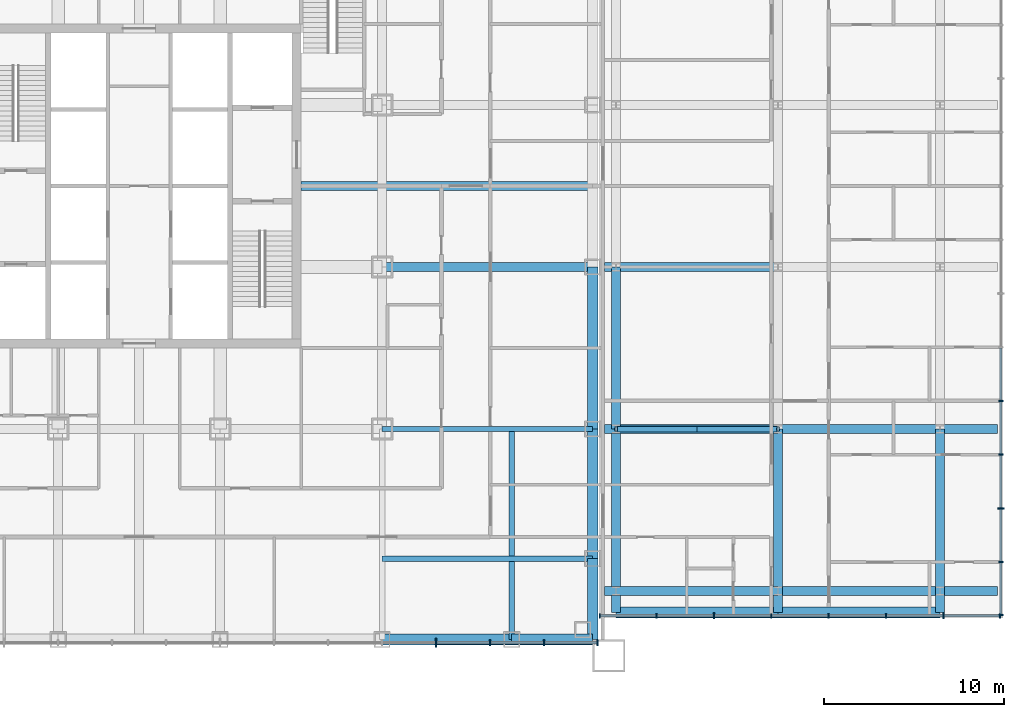
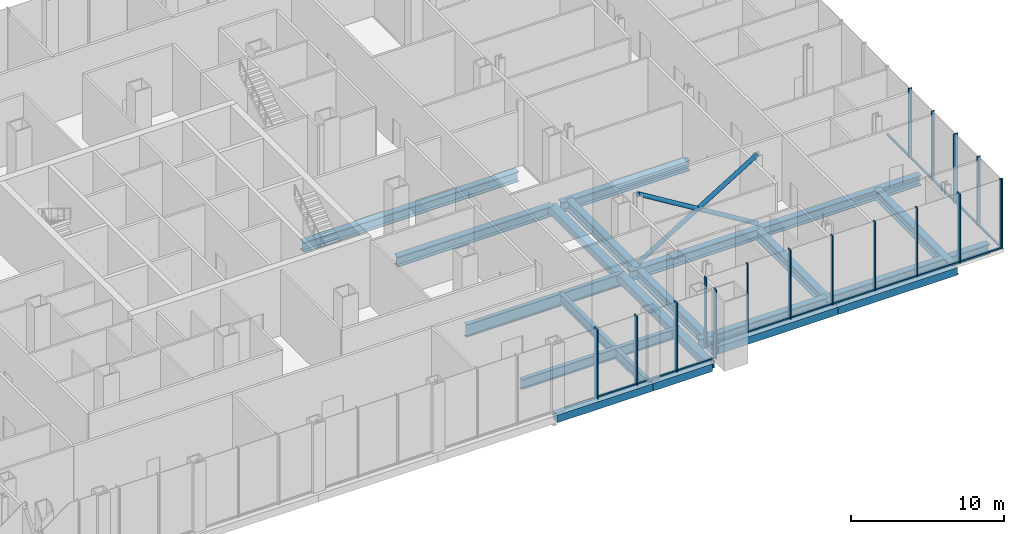
# One storey, part 7 of 25: 34 members, 21 beams, 3 elements without a shape of their own.
"""IFC4 building model written with IfcOpenShell, lengths in metres."""

from ifc_helpers import new_model, si_unit, direction, frame, origin, origin_2d, place, context, subcontext, project, spatial, rectangle, hollow_rectangle, hollow_circle, i_section, extrude, material, layer, layer_set, material_profile, profile_set, type_object, element, aggregate, save


model = new_model("IFC4")

# Units and contexts
model_context = context("Model", 3, precision=1e-05, world=origin(), true_north=direction((0.0, 1.0)))
body_context = subcontext(model_context, "Body", "Model", "MODEL_VIEW")
ifc_project = project(units=[si_unit("LENGTHUNIT", "METRE"), si_unit("AREAUNIT", "SQUARE_METRE"), si_unit("VOLUMEUNIT", "CUBIC_METRE"), si_unit("PLANEANGLEUNIT", "RADIAN"), si_unit("MASSUNIT", "GRAM", prefix="KILO")], contexts=[model_context])

# Site, building, storey
site_placement = place(None, origin())
site = spatial("IfcSite", under=ifc_project, at=site_placement, CompositionType="ELEMENT")
building_placement = place(site_placement, origin())
building = spatial("IfcBuilding", under=site, at=building_placement, Name="Malebo Sky Hospital", CompositionType="ELEMENT")
storey_placement = place(building_placement, frame((0.0, 0.0, 11.0)))
storey = spatial("IfcBuildingStorey", under=building, at=storey_placement, Name="L02", CompositionType="ELEMENT", Elevation=11.0)

# Curtain wall, members
ifc_material_1 = material(Name="Anodised aluminium, natural silver", Category="aluminium")
ifc_layer_1 = layer(ifc_material_1, 0.25)
ifc_layer_set_1 = layer_set([ifc_layer_1], Name="PODIUM ENTRANCE BAY CURTAIN WALL")
curtain_wall_type_1 = type_object("IfcCurtainWallType", Name="PODIUM ENTRANCE BAY CURTAIN WALL", PredefinedType="NOTDEFINED", material=ifc_layer_set_1)
curtain_wall_1_placement = place(storey_placement, origin())
curtain_wall_1 = element("IfcCurtainWall", 1, at=curtain_wall_1_placement, inside=storey, type_object=curtain_wall_type_1, Name="BAY curtain wall BS", PredefinedType="NOTDEFINED")
ifc_material_profile_1 = material_profile(ifc_material_1, rectangle(XDim=0.14990234375, YDim=0.10009765625, at=origin_2d()), Name="ALUMINIUM TRANSOM 150x100")
ifc_profile_set_1 = profile_set([ifc_material_profile_1], Name="Anodised aluminium, natural silver")
member_type_1 = type_object("IfcMemberType", Name="ALUMINIUM TRANSOM 150x100", PredefinedType="USERDEFINED", material=ifc_profile_set_1)
member_1_placement = place(storey_placement, frame((76.53759765625, 36.625, 0.050048828125), z_axis=(1.0, 0.0, 0.0), x_axis=(0.0, 1.0, 0.0)))
member_1 = element("IfcMember", 2, at=member_1_placement, type_object=member_type_1, Name="Transom 15", ObjectType="TRANSOM", PredefinedType="USERDEFINED", context=body_context, shape_type="SweptSolid", body=[
    extrude(rectangle(XDim=0.14990234375, YDim=0.10009765625, at=origin_2d()), origin(), (0.0, 0.0, 1.0), 2.9248046875),
])
member_2_placement = place(storey_placement, frame((79.53759765625, 36.625, 0.050048828125), z_axis=(1.0, 0.0, 0.0), x_axis=(0.0, 1.0, 0.0)))
member_2 = element("IfcMember", 3, at=member_2_placement, type_object=member_type_1, Name="Transom 16", ObjectType="TRANSOM", PredefinedType="USERDEFINED", context=body_context, shape_type="SweptSolid", body=[
    extrude(rectangle(XDim=0.14990234375, YDim=0.10009765625, at=origin_2d()), origin(), (0.0, 0.0, 1.0), 2.9248046875),
])
member_3_placement = place(storey_placement, frame((82.53759765625, 36.625, 0.050048828125), z_axis=(1.0, 0.0, 0.0), x_axis=(0.0, 1.0, 0.0)))
member_3 = element("IfcMember", 4, at=member_3_placement, type_object=member_type_1, Name="Transom 17", ObjectType="TRANSOM", PredefinedType="USERDEFINED", context=body_context, shape_type="SweptSolid", body=[
    extrude(rectangle(XDim=0.14990234375, YDim=0.10009765625, at=origin_2d()), origin(), (0.0, 0.0, 1.0), 2.887451171875),
])

ifc_layer_2 = layer(ifc_material_1, 0.25)
ifc_layer_set_2 = layer_set([ifc_layer_2], Name="PODIUM CURTAIN WALL")
curtain_wall_type_2 = type_object("IfcCurtainWallType", Name="PODIUM CURTAIN WALL", PredefinedType="NOTDEFINED", material=ifc_layer_set_2)
curtain_wall_2_placement = place(storey_placement, origin())
curtain_wall_2 = element("IfcCurtainWall", 5, at=curtain_wall_2_placement, inside=storey, type_object=curtain_wall_type_2, Name="POD curtain wall ES", PredefinedType="NOTDEFINED")
member_4_placement = place(storey_placement, frame((85.625, 38.125, 0.050048828125), z_axis=(1.0, 0.0, 0.0), x_axis=(0.0, 1.0, 0.0)))
member_4 = element("IfcMember", 6, at=member_4_placement, type_object=member_type_1, Name="Transom 1", ObjectType="TRANSOM", PredefinedType="USERDEFINED", context=body_context, shape_type="SweptSolid", body=[
    extrude(rectangle(XDim=0.14990234375, YDim=0.10009765625, at=origin_2d()), origin(), (0.0, 0.0, 1.0), 3.076904296875),
])
member_5_placement = place(storey_placement, frame((88.77685546875, 38.125, 0.050048828125), z_axis=(1.0, 0.0, 0.0), x_axis=(0.0, 1.0, 0.0)))
member_5 = element("IfcMember", 7, at=member_5_placement, type_object=member_type_1, Name="Transom 2", ObjectType="TRANSOM", PredefinedType="USERDEFINED", context=body_context, shape_type="SweptSolid", body=[
    extrude(rectangle(XDim=0.14990234375, YDim=0.10009765625, at=origin_2d()), origin(), (0.0, 0.0, 1.0), 3.1142578125),
])
member_6_placement = place(storey_placement, frame((91.966064453125, 38.125, 0.050048828125), z_axis=(1.0, 0.0, 0.0), x_axis=(0.0, 1.0, 0.0)))
member_6 = element("IfcMember", 8, at=member_6_placement, type_object=member_type_1, Name="Transom 3", ObjectType="TRANSOM", PredefinedType="USERDEFINED", context=body_context, shape_type="SweptSolid", body=[
    extrude(rectangle(XDim=0.14990234375, YDim=0.10009765625, at=origin_2d()), origin(), (0.0, 0.0, 1.0), 3.1142578125),
])
member_7_placement = place(storey_placement, frame((95.155517578125, 38.125, 0.050048828125), z_axis=(1.0, 0.0, 0.0), x_axis=(0.0, 1.0, 0.0)))
member_7 = element("IfcMember", 9, at=member_7_placement, type_object=member_type_1, Name="Transom 4", ObjectType="TRANSOM", PredefinedType="USERDEFINED", context=body_context, shape_type="SweptSolid", body=[
    extrude(rectangle(XDim=0.14990234375, YDim=0.10009765625, at=origin_2d()), origin(), (0.0, 0.0, 1.0), 3.114013671875),
])
member_8_placement = place(storey_placement, frame((98.344482421875, 38.125, 0.050048828125), z_axis=(1.0, 0.0, 0.0), x_axis=(0.0, 1.0, 0.0)))
member_8 = element("IfcMember", 10, at=member_8_placement, type_object=member_type_1, Name="Transom 5", ObjectType="TRANSOM", PredefinedType="USERDEFINED", context=body_context, shape_type="SweptSolid", body=[
    extrude(rectangle(XDim=0.14990234375, YDim=0.10009765625, at=origin_2d()), origin(), (0.0, 0.0, 1.0), 3.114501953125),
])
member_9_placement = place(storey_placement, frame((101.533935546875, 38.125, 0.050048828125), z_axis=(1.0, 0.0, 0.0), x_axis=(0.0, 1.0, 0.0)))
member_9 = element("IfcMember", 11, at=member_9_placement, type_object=member_type_1, Name="Transom 6", ObjectType="TRANSOM", PredefinedType="USERDEFINED", context=body_context, shape_type="SweptSolid", body=[
    extrude(rectangle(XDim=0.14990234375, YDim=0.10009765625, at=origin_2d()), origin(), (0.0, 0.0, 1.0), 3.1142578125),
])
member_10_placement = place(storey_placement, frame((104.72314453125, 38.125, 0.050048828125), z_axis=(1.0, 0.0, 0.0), x_axis=(0.0, 1.0, 0.0)))
member_10 = element("IfcMember", 12, at=member_10_placement, type_object=member_type_1, Name="Transom 7", ObjectType="TRANSOM", PredefinedType="USERDEFINED", context=body_context, shape_type="SweptSolid", body=[
    extrude(rectangle(XDim=0.14990234375, YDim=0.10009765625, at=origin_2d()), origin(), (0.0, 0.0, 1.0), 3.076904296875),
])

curtain_wall_3_placement = place(storey_placement, origin())
curtain_wall_3 = element("IfcCurtainWall", 13, at=curtain_wall_3_placement, inside=storey, type_object=curtain_wall_type_2, Name="POD curtain wall EE", PredefinedType="NOTDEFINED")
member_11_placement = place(storey_placement, frame((107.875, 38.199951171875, 0.050048828125), z_axis=(0.0, 1.0, 0.0), x_axis=(-1.0, 0.0, 0.0)))
member_11 = element("IfcMember", 14, at=member_11_placement, type_object=member_type_1, Name="Transom 1", ObjectType="TRANSOM", PredefinedType="USERDEFINED", context=body_context, shape_type="SweptSolid", body=[
    extrude(rectangle(XDim=0.14990234375, YDim=0.10009765625, at=origin_2d()), origin(), (0.0, 0.0, 1.0), 2.8720703125),
])
member_12_placement = place(storey_placement, frame((107.875, 41.14697265625, 0.050048828125), z_axis=(0.0, 1.0, 0.0), x_axis=(-1.0, 0.0, 0.0)))
member_12 = element("IfcMember", 15, at=member_12_placement, type_object=member_type_1, Name="Transom 2", ObjectType="TRANSOM", PredefinedType="USERDEFINED", context=body_context, shape_type="SweptSolid", body=[
    extrude(rectangle(XDim=0.14990234375, YDim=0.10009765625, at=origin_2d()), origin(), (0.0, 0.0, 1.0), 2.909423828125),
])
member_13_placement = place(storey_placement, frame((107.875, 44.13134765625, 0.050048828125), z_axis=(0.0, 1.0, 0.0), x_axis=(-1.0, 0.0, 0.0)))
member_13 = element("IfcMember", 16, at=member_13_placement, type_object=member_type_1, Name="Transom 3", ObjectType="TRANSOM", PredefinedType="USERDEFINED", context=body_context, shape_type="SweptSolid", body=[
    extrude(rectangle(XDim=0.14990234375, YDim=0.10009765625, at=origin_2d()), origin(), (0.0, 0.0, 1.0), 2.9091796875),
])
member_14_placement = place(storey_placement, frame((107.875, 47.115478515625, 0.050048828125), z_axis=(0.0, 1.0, 0.0), x_axis=(-1.0, 0.0, 0.0)))
member_14 = element("IfcMember", 17, at=member_14_placement, type_object=member_type_1, Name="Transom 4", ObjectType="TRANSOM", PredefinedType="USERDEFINED", context=body_context, shape_type="SweptSolid", body=[
    extrude(rectangle(XDim=0.14990234375, YDim=0.10009765625, at=origin_2d()), origin(), (0.0, 0.0, 1.0), 2.909423828125),
])
member_15_placement = place(storey_placement, frame((107.875, 50.10009765625, 0.050048828125), z_axis=(0.0, 1.0, 0.0), x_axis=(-1.0, 0.0, 0.0)))
member_15 = element("IfcMember", 18, at=member_15_placement, type_object=member_type_1, Name="Transom 5", ObjectType="TRANSOM", PredefinedType="USERDEFINED", context=body_context, shape_type="SweptSolid", body=[
    extrude(rectangle(XDim=0.14990234375, YDim=0.10009765625, at=origin_2d()), origin(), (0.0, 0.0, 1.0), 2.909423828125),
])

# Member
ifc_material_profile_2 = material_profile(ifc_material_1, rectangle(XDim=0.074951171875, YDim=0.25, at=origin_2d()), Name="CW3 ALUMINIUM FIN MULLION 75x250")
ifc_profile_set_2 = profile_set([ifc_material_profile_2], Name="Anodised aluminium, natural silver")
member_type_2 = type_object("IfcMemberType", Name="CW3 ALUMINIUM FIN MULLION 75x250", PredefinedType="MULLION", material=ifc_profile_set_2)
member_16_placement = place(storey_placement, frame((85.58740234375, 38.125, 0.0), z_axis=(0.0, 0.0, 1.0), x_axis=(1.0, 0.0, 0.0)))
member_16 = element("IfcMember", 19, at=member_16_placement, type_object=member_type_2, Name="Fin mullion 1", PredefinedType="MULLION", context=body_context, shape_type="SweptSolid", body=[
    extrude(rectangle(XDim=0.074951171875, YDim=0.25, at=origin_2d()), origin(), (0.0, 0.0, 1.0), 5.5),
])

member_17_placement = place(storey_placement, frame((88.7392578125, 38.125, 0.0), z_axis=(0.0, 0.0, 1.0), x_axis=(1.0, 0.0, 0.0)))
member_17 = element("IfcMember", 20, at=member_17_placement, type_object=member_type_2, Name="Fin mullion 2", PredefinedType="MULLION", context=body_context, shape_type="SweptSolid", body=[
    extrude(rectangle(XDim=0.074951171875, YDim=0.25, at=origin_2d()), origin(), (0.0, 0.0, 1.0), 5.5),
])

member_18_placement = place(storey_placement, frame((95.117919921875, 38.125, 0.0), z_axis=(0.0, 0.0, 1.0), x_axis=(1.0, 0.0, 0.0)))
member_18 = element("IfcMember", 21, at=member_18_placement, type_object=member_type_2, Name="Fin mullion 4", PredefinedType="MULLION", context=body_context, shape_type="SweptSolid", body=[
    extrude(rectangle(XDim=0.074951171875, YDim=0.25, at=origin_2d()), origin(), (0.0, 0.0, 1.0), 5.5),
])

member_19_placement = place(storey_placement, frame((98.30712890625, 38.125, 0.0), z_axis=(0.0, 0.0, 1.0), x_axis=(1.0, 0.0, 0.0)))
member_19 = element("IfcMember", 22, at=member_19_placement, type_object=member_type_2, Name="Fin mullion 5", PredefinedType="MULLION", context=body_context, shape_type="SweptSolid", body=[
    extrude(rectangle(XDim=0.074951171875, YDim=0.25, at=origin_2d()), origin(), (0.0, 0.0, 1.0), 5.5),
])

member_20_placement = place(storey_placement, frame((101.496337890625, 38.125, 0.0), z_axis=(0.0, 0.0, 1.0), x_axis=(1.0, 0.0, 0.0)))
member_20 = element("IfcMember", 23, at=member_20_placement, type_object=member_type_2, Name="Fin mullion 6", PredefinedType="MULLION", context=body_context, shape_type="SweptSolid", body=[
    extrude(rectangle(XDim=0.074951171875, YDim=0.25, at=origin_2d()), origin(), (0.0, 0.0, 1.0), 5.5),
])

member_21_placement = place(storey_placement, frame((107.83740234375, 38.125, 0.0), z_axis=(0.0, 0.0, 1.0), x_axis=(1.0, 0.0, 0.0)))
member_21 = element("IfcMember", 24, at=member_21_placement, type_object=member_type_2, Name="Fin mullion 8", PredefinedType="MULLION", context=body_context, shape_type="SweptSolid", body=[
    extrude(rectangle(XDim=0.074951171875, YDim=0.25, at=origin_2d()), origin(), (0.0, 0.0, 1.0), 5.5),
])

member_22_placement = place(storey_placement, frame((107.875, 38.16259765625, 0.0), z_axis=(0.0, 0.0, 1.0), x_axis=(0.0, 1.0, 0.0)))
member_22 = element("IfcMember", 25, at=member_22_placement, type_object=member_type_2, Name="Fin mullion 1", PredefinedType="MULLION", context=body_context, shape_type="SweptSolid", body=[
    extrude(rectangle(XDim=0.074951171875, YDim=0.25, at=origin_2d()), origin(), (0.0, 0.0, 1.0), 5.5),
])

member_23_placement = place(storey_placement, frame((107.875, 41.109375, 0.0), z_axis=(0.0, 0.0, 1.0), x_axis=(0.0, 1.0, 0.0)))
member_23 = element("IfcMember", 26, at=member_23_placement, type_object=member_type_2, Name="Fin mullion 2", PredefinedType="MULLION", context=body_context, shape_type="SweptSolid", body=[
    extrude(rectangle(XDim=0.074951171875, YDim=0.25, at=origin_2d()), origin(), (0.0, 0.0, 1.0), 5.5),
])

member_24_placement = place(storey_placement, frame((107.875, 47.078125, 0.0), z_axis=(0.0, 0.0, 1.0), x_axis=(0.0, 1.0, 0.0)))
member_24 = element("IfcMember", 27, at=member_24_placement, type_object=member_type_2, Name="Fin mullion 4", PredefinedType="MULLION", context=body_context, shape_type="SweptSolid", body=[
    extrude(rectangle(XDim=0.074951171875, YDim=0.25, at=origin_2d()), origin(), (0.0, 0.0, 1.0), 5.5),
])

member_25_placement = place(storey_placement, frame((107.875, 50.0625, 0.0), z_axis=(0.0, 0.0, 1.0), x_axis=(0.0, 1.0, 0.0)))
member_25 = element("IfcMember", 28, at=member_25_placement, type_object=member_type_2, Name="Fin mullion 5", PredefinedType="MULLION", context=body_context, shape_type="SweptSolid", body=[
    extrude(rectangle(XDim=0.074951171875, YDim=0.25, at=origin_2d()), origin(), (0.0, 0.0, 1.0), 5.5),
])

ifc_material_profile_3 = material_profile(ifc_material_1, rectangle(XDim=0.074951171875, YDim=0.35009765625, at=origin_2d()), Name="CW3 ALUMINIUM FIN MULLION 75x350")
ifc_profile_set_3 = profile_set([ifc_material_profile_3], Name="Anodised aluminium, natural silver")
member_type_3 = type_object("IfcMemberType", Name="CW3 ALUMINIUM FIN MULLION 75x350", PredefinedType="MULLION", material=ifc_profile_set_3)
member_26_placement = place(storey_placement, frame((91.9287109375, 38.125, 0.0), z_axis=(0.0, 0.0, 1.0), x_axis=(1.0, 0.0, 0.0)))
member_26 = element("IfcMember", 29, at=member_26_placement, type_object=member_type_3, Name="Fin mullion 3", PredefinedType="MULLION", context=body_context, shape_type="SweptSolid", body=[
    extrude(rectangle(XDim=0.074951171875, YDim=0.35009765625, at=origin_2d()), origin(), (0.0, 0.0, 1.0), 5.5),
])

member_27_placement = place(storey_placement, frame((104.685791015625, 38.125, 0.0), z_axis=(0.0, 0.0, 1.0), x_axis=(1.0, 0.0, 0.0)))
member_27 = element("IfcMember", 30, at=member_27_placement, type_object=member_type_3, Name="Fin mullion 7", PredefinedType="MULLION", context=body_context, shape_type="SweptSolid", body=[
    extrude(rectangle(XDim=0.074951171875, YDim=0.35009765625, at=origin_2d()), origin(), (0.0, 0.0, 1.0), 5.5),
])

aggregate(curtain_wall_2, [member_16, member_17, member_26, member_18, member_19, member_20, member_27, member_21, member_4, member_5, member_6, member_7, member_8, member_9, member_10])

member_28_placement = place(storey_placement, frame((107.875, 44.09375, 0.0), z_axis=(0.0, 0.0, 1.0), x_axis=(0.0, 1.0, 0.0)))
member_28 = element("IfcMember", 31, at=member_28_placement, type_object=member_type_3, Name="Fin mullion 3", PredefinedType="MULLION", context=body_context, shape_type="SweptSolid", body=[
    extrude(rectangle(XDim=0.074951171875, YDim=0.35009765625, at=origin_2d()), origin(), (0.0, 0.0, 1.0), 5.5),
])

aggregate(curtain_wall_3, [member_22, member_23, member_28, member_24, member_25, member_11, member_12, member_13, member_14, member_15])

ifc_material_profile_4 = material_profile(ifc_material_1, rectangle(XDim=0.074951171875, YDim=0.35009765625, at=origin_2d()), Name="CW4 ALUMINIUM FIN MULLION 75x350")
ifc_profile_set_4 = profile_set([ifc_material_profile_4], Name="Anodised aluminium, natural silver")
member_type_4 = type_object("IfcMemberType", Name="CW4 ALUMINIUM FIN MULLION 75x350", PredefinedType="MULLION", material=ifc_profile_set_4)
member_29_placement = place(storey_placement, frame((79.5, 36.625, 0.0), z_axis=(0.0, 0.0, 1.0), x_axis=(1.0, 0.0, 0.0)))
member_29 = element("IfcMember", 32, at=member_29_placement, type_object=member_type_4, Name="Fin mullion 16", PredefinedType="MULLION", context=body_context, shape_type="SweptSolid", body=[
    extrude(rectangle(XDim=0.074951171875, YDim=0.35009765625, at=origin_2d()), origin(), (0.0, 0.0, 1.0), 5.5),
])

member_30_placement = place(storey_placement, frame((82.5, 36.625, 0.0), z_axis=(0.0, 0.0, 1.0), x_axis=(1.0, 0.0, 0.0)))
member_30 = element("IfcMember", 33, at=member_30_placement, type_object=member_type_4, Name="Fin mullion 17", PredefinedType="MULLION", context=body_context, shape_type="SweptSolid", body=[
    extrude(rectangle(XDim=0.074951171875, YDim=0.35009765625, at=origin_2d()), origin(), (0.0, 0.0, 1.0), 5.5),
])

member_31_placement = place(storey_placement, frame((85.46240234375, 36.625, 0.0), z_axis=(0.0, 0.0, 1.0), x_axis=(1.0, 0.0, 0.0)))
member_31 = element("IfcMember", 34, at=member_31_placement, type_object=member_type_4, Name="Fin mullion 18", PredefinedType="MULLION", context=body_context, shape_type="SweptSolid", body=[
    extrude(rectangle(XDim=0.074951171875, YDim=0.35009765625, at=origin_2d()), origin(), (0.0, 0.0, 1.0), 5.5),
])

ifc_material_profile_5 = material_profile(ifc_material_1, rectangle(XDim=0.074951171875, YDim=0.5, at=origin_2d()), Name="CW4 ALUMINIUM FIN MULLION 75x500")
ifc_profile_set_5 = profile_set([ifc_material_profile_5], Name="Anodised aluminium, natural silver")
member_type_5 = type_object("IfcMemberType", Name="CW4 ALUMINIUM FIN MULLION 75x500", PredefinedType="MULLION", material=ifc_profile_set_5)
member_32_placement = place(storey_placement, frame((76.5, 36.625, 0.0), z_axis=(0.0, 0.0, 1.0), x_axis=(1.0, 0.0, 0.0)))
member_32 = element("IfcMember", 35, at=member_32_placement, type_object=member_type_5, Name="Fin mullion 15", PredefinedType="MULLION", context=body_context, shape_type="SweptSolid", body=[
    extrude(rectangle(XDim=0.074951171875, YDim=0.5, at=origin_2d()), origin(), (0.0, 0.0, 1.0), 5.5),
])

aggregate(curtain_wall_1, [member_32, member_29, member_30, member_31, member_1, member_2, member_3])

# Beams
ifc_material_2 = material(Name="Steel S460", Category="steel")
ifc_material_profile_6 = material_profile(ifc_material_2, hollow_rectangle(XDim=0.60009765625, YDim=0.60009765625, WallThickness=0.0400390625, at=origin_2d()), Name="BOX 600x600x40")
ifc_profile_set_6 = profile_set([ifc_material_profile_6], Name="Steel S460")
beam_type_1 = type_object("IfcBeamType", Name="EDGE BEAM BOX 600x600x40", PredefinedType="BEAM", material=ifc_profile_set_6)
beam_1_placement = place(storey_placement, frame((85.199951171875, 36.800048828125, -0.60009765625), z_axis=(0.0, 1.0, 0.0), x_axis=(-1.0, 0.0, 0.0)))
element("IfcBeam", 36, at=beam_1_placement, inside=storey, type_object=beam_type_1, Name="Beam 031 L02", PredefinedType="BEAM", context=body_context, shape_type="SweptSolid", body=[
    extrude(hollow_rectangle(XDim=0.60009765625, YDim=0.60009765625, WallThickness=0.0400390625, at=origin_2d()), origin(), (0.0, 0.0, 1.0), 4.5),
])
beam_2_placement = place(storey_placement, frame((85.199951171875, 41.300048828125, -0.60009765625), z_axis=(0.0, 1.0, 0.0), x_axis=(-1.0, 0.0, 0.0)))
element("IfcBeam", 37, at=beam_2_placement, inside=storey, type_object=beam_type_1, Name="Beam 032 L02", PredefinedType="BEAM", context=body_context, shape_type="SweptSolid", body=[
    extrude(hollow_rectangle(XDim=0.60009765625, YDim=0.60009765625, WallThickness=0.0400390625, at=origin_2d()), origin(), (0.0, 0.0, 1.0), 7.199951171875),
])
beam_3_placement = place(storey_placement, frame((85.199951171875, 48.5, -0.60009765625), z_axis=(0.0, 1.0, 0.0), x_axis=(-1.0, 0.0, 0.0)))
element("IfcBeam", 38, at=beam_3_placement, inside=storey, type_object=beam_type_1, Name="Beam 033 L02", PredefinedType="BEAM", context=body_context, shape_type="SweptSolid", body=[
    extrude(hollow_rectangle(XDim=0.60009765625, YDim=0.60009765625, WallThickness=0.0400390625, at=origin_2d()), origin(), (0.0, 0.0, 1.0), 9.0),
])
beam_4_placement = place(storey_placement, frame((73.5, 36.800048828125, -0.60009765625), z_axis=(1.0, 0.0, 0.0), x_axis=(0.0, 1.0, 0.0)))
element("IfcBeam", 39, at=beam_4_placement, inside=storey, type_object=beam_type_1, Name="Beam 043 L02", PredefinedType="BEAM", context=body_context, shape_type="SweptSolid", body=[
    extrude(hollow_rectangle(XDim=0.60009765625, YDim=0.60009765625, WallThickness=0.0400390625, at=origin_2d()), origin(), (0.0, 0.0, 1.0), 7.199951171875),
])
beam_5_placement = place(storey_placement, frame((80.699951171875, 36.800048828125, -0.60009765625), z_axis=(1.0, 0.0, 0.0), x_axis=(0.0, 1.0, 0.0)))
element("IfcBeam", 40, at=beam_5_placement, inside=storey, type_object=beam_type_1, Name="Beam 044 L02", PredefinedType="BEAM", context=body_context, shape_type="SweptSolid", body=[
    extrude(hollow_rectangle(XDim=0.60009765625, YDim=0.60009765625, WallThickness=0.0400390625, at=origin_2d()), origin(), (0.0, 0.0, 1.0), 4.5),
])
for number, where, z_axis, x_axis, name in (
    (41, (86.5, 38.300048828125, -0.60009765625), (1.0, 0.0, 0.0), (0.0, 1.0, 0.0), "Beam E028 L02"),
    (42, (95.5, 38.300048828125, -0.60009765625), (1.0, 0.0, 0.0), (0.0, 1.0, 0.0), "Beam E029 L02"),
):
    element("IfcBeam", number, at=place(storey_placement, frame(where, z_axis=z_axis, x_axis=x_axis)), inside=storey, type_object=beam_type_1, Name=name, PredefinedType="BEAM", context=body_context, shape_type="SweptSolid", body=[
        extrude(hollow_rectangle(XDim=0.60009765625, YDim=0.60009765625, WallThickness=0.0400390625, at=origin_2d()), origin(), (0.0, 0.0, 1.0), 9.0),
    ])
ifc_material_3 = material(Name="Steel S355", Category="steel")
ifc_material_profile_7 = material_profile(ifc_material_3, i_section(OverallWidth=0.300048828125, OverallDepth=0.800048828125, WebThickness=0.017578125, FlangeThickness=0.032958984375, FilletRadius=0.030029296875, at=origin_2d()), Name="HEB 800")
ifc_profile_set_7 = profile_set([ifc_material_profile_7], Name="Steel S355")
beam_type_2 = type_object("IfcBeamType", Name="FLOOR BEAM HEB 800", PredefinedType="BEAM", material=ifc_profile_set_7)
for number, where, z_axis, x_axis, name in (
    (43, (80.699951171875, 36.800048828125, -0.699951171875), (0.0, 1.0, 0.0), (-1.0, 0.0, 0.0), "Beam 029 L02"),
    (44, (73.5, 41.300048828125, -0.699951171875), (1.0, 0.0, 0.0), (0.0, 1.0, 0.0), "Beam 046 L02"),
):
    element("IfcBeam", number, at=place(storey_placement, frame(where, z_axis=z_axis, x_axis=x_axis)), inside=storey, type_object=beam_type_2, Name=name, PredefinedType="BEAM", context=body_context, shape_type="SweptSolid", body=[
        extrude(i_section(OverallWidth=0.300048828125, OverallDepth=0.800048828125, WebThickness=0.017578125, FlangeThickness=0.032958984375, FilletRadius=0.030029296875, at=origin_2d()), origin(), (0.0, 0.0, 1.0), 11.699951171875),
    ])
ifc_material_profile_8 = material_profile(ifc_material_3, i_section(OverallWidth=0.5, OverallDepth=0.800048828125, WebThickness=0.030029296875, FlangeThickness=0.050048828125, at=origin_2d()), Name="PG 800x500x30x50")
ifc_profile_set_8 = profile_set([ifc_material_profile_8], Name="Steel S355")
beam_type_3 = type_object("IfcBeamType", Name="FLOOR BEAM PG 800x500x30x50", PredefinedType="BEAM", material=ifc_profile_set_8)
beam_6_placement = place(storey_placement, frame((73.5, 57.5, -0.699951171875), z_axis=(1.0, 0.0, 0.0), x_axis=(0.0, 1.0, 0.0)))
element("IfcBeam", 45, at=beam_6_placement, inside=storey, type_object=beam_type_3, Name="Beam 055 L02", PredefinedType="BEAM", context=body_context, shape_type="SweptSolid", body=[
    extrude(i_section(OverallWidth=0.5, OverallDepth=0.800048828125, WebThickness=0.030029296875, FlangeThickness=0.050048828125, at=origin_2d()), origin(), (0.0, 0.0, 1.0), 11.699951171875),
])
beam_7_placement = place(storey_placement, frame((69.0, 62.0, -0.699951171875), z_axis=(1.0, 0.0, 0.0), x_axis=(0.0, 1.0, 0.0)))
element("IfcBeam", 46, at=beam_7_placement, inside=storey, type_object=beam_type_3, Name="Beam 057 L02", PredefinedType="BEAM", context=body_context, shape_type="SweptSolid", body=[
    extrude(i_section(OverallWidth=0.5, OverallDepth=0.800048828125, WebThickness=0.030029296875, FlangeThickness=0.050048828125, at=origin_2d()), origin(), (0.0, 0.0, 1.0), 16.199951171875),
])
beam_8_placement = place(storey_placement, frame((86.5, 38.300048828125, -0.699951171875), z_axis=(0.0, 1.0, 0.0), x_axis=(-1.0, 0.0, 0.0)))
element("IfcBeam", 47, at=beam_8_placement, inside=storey, type_object=beam_type_3, Name="Beam E001 L02", PredefinedType="BEAM", context=body_context, shape_type="SweptSolid", body=[
    extrude(i_section(OverallWidth=0.5, OverallDepth=0.800048828125, WebThickness=0.030029296875, FlangeThickness=0.050048828125, at=origin_2d()), origin(), (0.0, 0.0, 1.0), 10.199951171875),
])
beam_9_placement = place(storey_placement, frame((86.5, 48.5, -0.699951171875), z_axis=(0.0, 1.0, 0.0), x_axis=(-1.0, 0.0, 0.0)))
element("IfcBeam", 48, at=beam_9_placement, inside=storey, type_object=beam_type_3, Name="Beam E002 L02", PredefinedType="BEAM", context=body_context, shape_type="SweptSolid", body=[
    extrude(i_section(OverallWidth=0.5, OverallDepth=0.800048828125, WebThickness=0.030029296875, FlangeThickness=0.050048828125, at=origin_2d()), origin(), (0.0, 0.0, 1.0), 9.0),
])
for number, where, z_axis, x_axis, name in (
    (49, (95.5, 38.300048828125, -0.699951171875), (0.0, 1.0, 0.0), (-1.0, 0.0, 0.0), "Beam E006 L02"),
    (50, (104.5, 38.300048828125, -0.699951171875), (0.0, 1.0, 0.0), (-1.0, 0.0, 0.0), "Beam E011 L02"),
):
    element("IfcBeam", number, at=place(storey_placement, frame(where, z_axis=z_axis, x_axis=x_axis)), inside=storey, type_object=beam_type_3, Name=name, PredefinedType="BEAM", context=body_context, shape_type="SweptSolid", body=[
        extrude(i_section(OverallWidth=0.5, OverallDepth=0.800048828125, WebThickness=0.030029296875, FlangeThickness=0.050048828125, at=origin_2d()), origin(), (0.0, 0.0, 1.0), 10.199951171875),
    ])
beam_10_placement = place(storey_placement, frame((85.85009765625, 39.5, -0.699951171875), z_axis=(1.0, 0.0, 0.0), x_axis=(0.0, 1.0, 0.0)))
element("IfcBeam", 51, at=beam_10_placement, inside=storey, type_object=beam_type_3, Name="Beam E016 L02", PredefinedType="BEAM", context=body_context, shape_type="SweptSolid", body=[
    extrude(i_section(OverallWidth=0.5, OverallDepth=0.800048828125, WebThickness=0.030029296875, FlangeThickness=0.050048828125, at=origin_2d()), origin(), (0.0, 0.0, 1.0), 9.64990234375),
])
beam_11_placement = place(storey_placement, frame((95.5, 39.5, -0.699951171875), z_axis=(1.0, 0.0, 0.0), x_axis=(0.0, 1.0, 0.0)))
element("IfcBeam", 52, at=beam_11_placement, inside=storey, type_object=beam_type_3, Name="Beam E017 L02", PredefinedType="BEAM", context=body_context, shape_type="SweptSolid", body=[
    extrude(i_section(OverallWidth=0.5, OverallDepth=0.800048828125, WebThickness=0.030029296875, FlangeThickness=0.050048828125, at=origin_2d()), origin(), (0.0, 0.0, 1.0), 12.199951171875),
])
beam_12_placement = place(storey_placement, frame((85.85009765625, 48.5, -0.699951171875), z_axis=(1.0, 0.0, 0.0), x_axis=(0.0, 1.0, 0.0)))
element("IfcBeam", 53, at=beam_12_placement, inside=storey, type_object=beam_type_3, Name="Beam E018 L02", PredefinedType="BEAM", context=body_context, shape_type="SweptSolid", body=[
    extrude(i_section(OverallWidth=0.5, OverallDepth=0.800048828125, WebThickness=0.030029296875, FlangeThickness=0.050048828125, at=origin_2d()), origin(), (0.0, 0.0, 1.0), 9.64990234375),
])
beam_13_placement = place(storey_placement, frame((95.5, 48.5, -0.699951171875), z_axis=(1.0, 0.0, 0.0), x_axis=(0.0, 1.0, 0.0)))
element("IfcBeam", 54, at=beam_13_placement, inside=storey, type_object=beam_type_3, Name="Beam E019 L02", PredefinedType="BEAM", context=body_context, shape_type="SweptSolid", body=[
    extrude(i_section(OverallWidth=0.5, OverallDepth=0.800048828125, WebThickness=0.030029296875, FlangeThickness=0.050048828125, at=origin_2d()), origin(), (0.0, 0.0, 1.0), 12.199951171875),
])
beam_14_placement = place(storey_placement, frame((85.85009765625, 57.5, -0.699951171875), z_axis=(1.0, 0.0, 0.0), x_axis=(0.0, 1.0, 0.0)))
element("IfcBeam", 55, at=beam_14_placement, inside=storey, type_object=beam_type_3, Name="Beam E020 L02", PredefinedType="BEAM", context=body_context, shape_type="SweptSolid", body=[
    extrude(i_section(OverallWidth=0.5, OverallDepth=0.800048828125, WebThickness=0.030029296875, FlangeThickness=0.050048828125, at=origin_2d()), origin(), (0.0, 0.0, 1.0), 9.64990234375),
])
ifc_material_profile_9 = material_profile(ifc_material_3, i_section(OverallWidth=0.300048828125, OverallDepth=1.0, WebThickness=0.01904296875, FlangeThickness=0.035888671875, FilletRadius=0.030029296875, at=origin_2d()), Name="HEB 1000")
ifc_profile_set_9 = profile_set([ifc_material_profile_9], Name="Steel S355")
beam_type_4 = type_object("IfcBeamType", Name="FLOOR GIRDER HEB 1000", PredefinedType="BEAM", material=ifc_profile_set_9)
beam_15_placement = place(storey_placement, frame((73.5, 48.5, -0.800048828125), z_axis=(1.0, 0.0, 0.0), x_axis=(0.0, 1.0, 0.0)))
element("IfcBeam", 56, at=beam_15_placement, inside=storey, type_object=beam_type_4, Name="Beam 051 L02", PredefinedType="BEAM", context=body_context, shape_type="SweptSolid", body=[
    extrude(i_section(OverallWidth=0.300048828125, OverallDepth=1.0, WebThickness=0.01904296875, FlangeThickness=0.035888671875, FilletRadius=0.030029296875, at=origin_2d()), origin(), (0.0, 0.0, 1.0), 11.699951171875),
])

# Members
ifc_material_profile_10 = material_profile(ifc_material_2, hollow_circle(Radius=0.161865234375, WallThickness=0.012451171875, at=origin_2d()), Name="CHS 323.9x12.5")
ifc_profile_set_10 = profile_set([ifc_material_profile_10], Name="Steel S460")
member_type_6 = type_object("IfcMemberType", Name="WING BRACE CHS 323.9x12.5", PredefinedType="BRACE", material=ifc_profile_set_10)
for number, where, z_axis, x_axis, name in (
    (57, (86.5, 48.5, 0.0), (0.853281833652, 0.0, 0.521450009454), (0.0, 1.0, 0.0), "Wing brace E2.1 L02"),
    (58, (95.5, 48.5, 0.0), (-0.853281833652, 0.0, 0.521450009454), (0.0, -1.0, 0.0), "Wing brace E2.2 L02"),
):
    element("IfcMember", number, at=place(storey_placement, frame(where, z_axis=z_axis, x_axis=x_axis)), inside=storey, type_object=member_type_6, Name=name, PredefinedType="BRACE", context=body_context, shape_type="SweptSolid", body=[
        extrude(hollow_circle(Radius=0.161865234375, WallThickness=0.012451171875, at=origin_2d()), origin(), (0.0, 0.0, 1.0), 10.547607421875),
    ])

save(model, "model.ifc")
